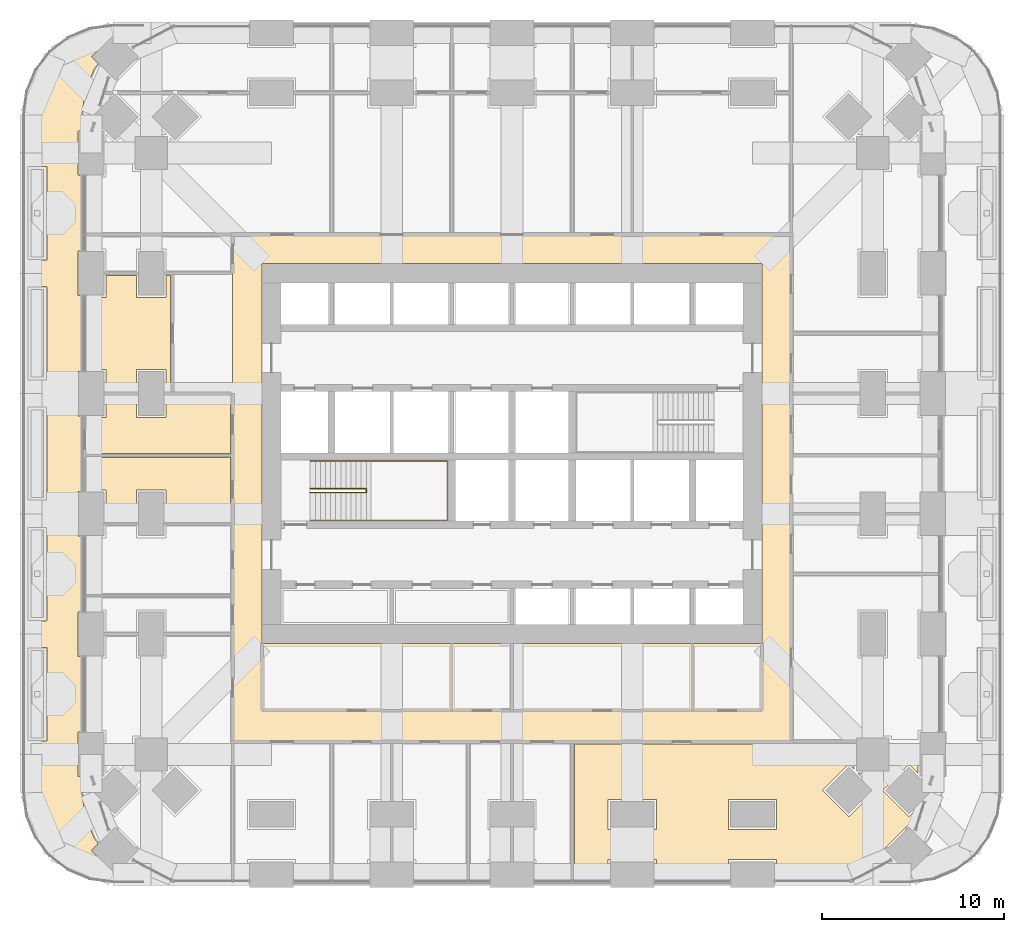
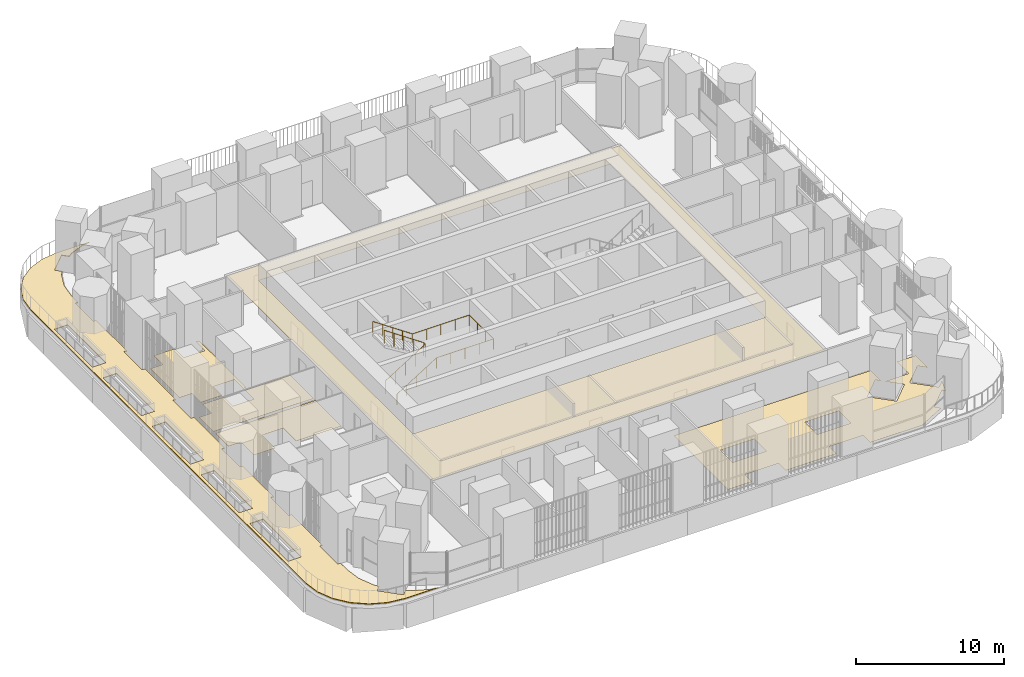
# One storey, part 23 of 27: 6 coverings, 2 railings.
"""IFC4 building model written with IfcOpenShell, lengths in metres."""

from ifc_helpers import new_model, si_unit, direction, frame, origin, place, context, subcontext, project, spatial, polyline, outline, extrude, material, layer, layer_set, type_object, element, save


model = new_model("IFC4")

# Units and contexts
model_context = context("Model", 3, precision=1e-05, world=origin(), true_north=direction((0.0, 1.0)))
body_context = subcontext(model_context, "Body", "Model", "MODEL_VIEW")
ifc_project = project(units=[si_unit("LENGTHUNIT", "METRE"), si_unit("AREAUNIT", "SQUARE_METRE"), si_unit("VOLUMEUNIT", "CUBIC_METRE"), si_unit("PLANEANGLEUNIT", "RADIAN"), si_unit("MASSUNIT", "GRAM", prefix="KILO")], contexts=[model_context])

# Site, building, storey
site_placement = place(None, origin())
site = spatial("IfcSite", under=ifc_project, at=site_placement, CompositionType="ELEMENT")
building_placement = place(site_placement, origin())
building = spatial("IfcBuilding", under=site, at=building_placement, Name="Cobogo Forest Laboratory Tower", CompositionType="ELEMENT")
storey_placement = place(building_placement, frame((0.0, 0.0, 82.199951171875)))
storey = spatial("IfcBuildingStorey", under=building, at=storey_placement, Name="L18", CompositionType="ELEMENT", Elevation=82.199951171875)

# Coverings
ifc_material_1 = material(Name="Mineral fibre ceiling tile", Category="ceiling")
ifc_layer_1 = layer(ifc_material_1, 0.02001953125)
ifc_layer_set_1 = layer_set([ifc_layer_1], Name="CL1 suspended ceiling")
covering_type_1 = type_object("IfcCoveringType", Name="CL1 suspended ceiling", PredefinedType="CEILING", material=ifc_layer_set_1)
covering_1_placement = place(storey_placement, frame((0.0, 0.0, 2.800048828125)))
element("IfcCovering", 1, at=covering_1_placement, inside=storey, type_object=covering_type_1, Name="Corridor ceiling L18", PredefinedType="CEILING", context=body_context, shape_type="SweptSolid", body=[
    extrude(outline(polyline([(11.074951171875, 7.300048828125), (11.074951171875, 35.125), (41.72509765625, 35.125), (41.72509765625, 7.300048828125), (11.074951171875, 7.300048828125)]), holes=[polyline([(40.125, 33.52490234375), (12.675048828125, 33.52490234375), (12.675048828125, 12.675048828125), (40.125, 12.675048828125), (40.125, 33.52490234375)])]), origin(), (0.0, 0.0, 1.0), 0.02001953125),
])
ifc_material_2 = material(Name="Carpet tile on raised access floor", Category="flooring")
ifc_layer_2 = layer(ifc_material_2, 0.008056640625)
ifc_layer_set_2 = layer_set([ifc_layer_2], Name="CT1 carpet tile floor 8")
covering_type_2 = type_object("IfcCoveringType", Name="CT1 carpet tile floor 8", PredefinedType="FLOORING", material=ifc_layer_set_2)
covering_2_placement = place(storey_placement, origin())
element("IfcCovering", 2, at=covering_2_placement, inside=storey, type_object=covering_type_2, Name="Carpet floor L18-32", PredefinedType="FLOORING", context=body_context, shape_type="SweptSolid", body=[
    extrude(outline(polyline([(7.655029296875, 26.52001953125), (7.419921875, 26.52001953125), (7.419921875, 27.719970703125), (5.780029296875, 27.719970703125), (5.780029296875, 26.52001953125), (4.1201171875, 26.52001953125), (4.1201171875, 27.719970703125), (3.14990234375, 27.719970703125), (3.14990234375, 31.679931640625), (4.1201171875, 31.679931640625), (4.1201171875, 32.8798828125), (5.780029296875, 32.8798828125), (5.780029296875, 31.679931640625), (7.419921875, 31.679931640625), (7.419921875, 32.8798828125), (7.655029296875, 32.8798828125), (7.655029296875, 26.52001953125)])), origin(), (0.0, 0.0, 1.0), 0.008056640625),
])

# Railings
ifc_material_3 = material(Name="Steel balustrade", Category="steel")
railing_type_1 = type_object("IfcRailingType", Name="GR stair guard 1100", PredefinedType="GUARDRAIL", material=ifc_material_3)
railing_1_placement = place(storey_placement, frame((15.324951171875, 20.969970703125, 0.175048828125)))
element("IfcRailing", 3, at=railing_1_placement, inside=storey, type_object=railing_type_1, Name="Stair guard ST1 L18", PredefinedType="GUARDRAIL", context=body_context, shape_type="SweptSolid", body=[
    extrude(outline(polyline([(0.022216796875, 0.00927734375), (0.00927734375, 0.022216796875), (-0.00927734375, 0.022216796875), (-0.022216796875, 0.00927734375), (-0.022216796875, -0.00927734375), (-0.00927734375, -0.022216796875), (0.00927734375, -0.022216796875), (0.022216796875, -0.00927734375), (0.022216796875, 0.00927734375)])), frame((0.0, 0.0, 1.077880859375), z_axis=(0.847998304005, 0.0, 0.529998940003), x_axis=(0.0, 1.0, 0.0)), (0.0, 0.0, 1.0), 3.632080078125),
    extrude(outline(polyline([(0.022216796875, 0.00927734375), (0.00927734375, 0.022216796875), (-0.00927734375, 0.022216796875), (-0.022216796875, 0.00927734375), (-0.022216796875, -0.00927734375), (-0.00927734375, -0.022216796875), (0.00927734375, -0.022216796875), (0.022216796875, -0.00927734375), (0.022216796875, 0.00927734375)])), frame((3.080078125, 0.0, 3.0029296875), z_axis=(0.0, 1.0, 0.0), x_axis=(-1.0, 0.0, 0.0)), (0.0, 0.0, 1.0), 0.2099609375),
    extrude(outline(polyline([(0.022216796875, 0.00927734375), (0.00927734375, 0.022216796875), (-0.00927734375, 0.022216796875), (-0.022216796875, 0.00927734375), (-0.022216796875, -0.00927734375), (-0.00927734375, -0.022216796875), (0.00927734375, -0.022216796875), (0.022216796875, -0.00927734375), (0.022216796875, 0.00927734375)])), frame((3.080078125, 0.2099609375, 3.0029296875), z_axis=(-0.826252282691, 0.0, 0.563300244406), x_axis=(0.0, -1.0, 0.0)), (0.0, 0.0, 1.0), 3.727783203125),
    extrude(outline(polyline([(0.019287109375, 0.008056640625), (0.008056640625, 0.019287109375), (-0.008056640625, 0.019287109375), (-0.019287109375, 0.008056640625), (-0.019287109375, -0.008056640625), (-0.008056640625, -0.019287109375), (0.008056640625, -0.019287109375), (0.019287109375, -0.008056640625), (0.019287109375, 0.008056640625)])), origin(), (0.0, 0.0, 1.0), 1.077880859375),
    extrude(outline(polyline([(0.019287109375, 0.008056640625), (0.008056640625, 0.019287109375), (-0.008056640625, 0.019287109375), (-0.019287109375, 0.008056640625), (-0.019287109375, -0.008056640625), (-0.008056640625, -0.019287109375), (0.008056640625, -0.019287109375), (0.019287109375, -0.008056640625), (0.019287109375, 0.008056640625)])), frame((0.77001953125, 0.0, 0.481201171875)), (0.0, 0.0, 1.0), 1.077880859375),
    extrude(outline(polyline([(0.019287109375, 0.008056640625), (0.008056640625, 0.019287109375), (-0.008056640625, 0.019287109375), (-0.019287109375, 0.008056640625), (-0.019287109375, -0.008056640625), (-0.008056640625, -0.019287109375), (0.008056640625, -0.019287109375), (0.019287109375, -0.008056640625), (0.019287109375, 0.008056640625)])), frame((1.5400390625, 0.0, 0.96240234375)), (0.0, 0.0, 1.0), 1.077880859375),
    extrude(outline(polyline([(0.019287109375, 0.008056640625), (0.008056640625, 0.019287109375), (-0.008056640625, 0.019287109375), (-0.019287109375, 0.008056640625), (-0.019287109375, -0.008056640625), (-0.008056640625, -0.019287109375), (0.008056640625, -0.019287109375), (0.019287109375, -0.008056640625), (0.019287109375, 0.008056640625)])), frame((2.31005859375, 0.0, 1.44384765625)), (0.0, 0.0, 1.0), 1.077880859375),
    extrude(outline(polyline([(0.019287109375, 0.008056640625), (0.008056640625, 0.019287109375), (-0.008056640625, 0.019287109375), (-0.019287109375, 0.008056640625), (-0.019287109375, -0.008056640625), (-0.008056640625, -0.019287109375), (0.008056640625, -0.019287109375), (0.019287109375, -0.008056640625), (0.019287109375, 0.008056640625)])), frame((3.080078125, 0.0, 1.925048828125)), (0.0, 0.0, 1.0), 1.077880859375),
    extrude(outline(polyline([(0.019287109375, 0.008056640625), (0.008056640625, 0.019287109375), (-0.008056640625, 0.019287109375), (-0.019287109375, 0.008056640625), (-0.019287109375, -0.008056640625), (-0.008056640625, -0.019287109375), (0.008056640625, -0.019287109375), (0.019287109375, -0.008056640625), (0.019287109375, 0.008056640625)])), frame((3.080078125, 0.2099609375, 1.925048828125)), (0.0, 0.0, 1.0), 1.077880859375),
    extrude(outline(polyline([(0.019287109375, 0.008056640625), (0.008056640625, 0.019287109375), (-0.008056640625, 0.019287109375), (-0.019287109375, 0.008056640625), (-0.019287109375, -0.008056640625), (-0.008056640625, -0.019287109375), (0.008056640625, -0.019287109375), (0.019287109375, -0.008056640625), (0.019287109375, 0.008056640625)])), frame((2.31005859375, 0.2099609375, 2.449951171875)), (0.0, 0.0, 1.0), 1.077880859375),
    extrude(outline(polyline([(0.019287109375, 0.008056640625), (0.008056640625, 0.019287109375), (-0.008056640625, 0.019287109375), (-0.019287109375, 0.008056640625), (-0.019287109375, -0.008056640625), (-0.008056640625, -0.019287109375), (0.008056640625, -0.019287109375), (0.019287109375, -0.008056640625), (0.019287109375, 0.008056640625)])), frame((1.5400390625, 0.2099609375, 2.97509765625)), (0.0, 0.0, 1.0), 1.077880859375),
    extrude(outline(polyline([(0.019287109375, 0.008056640625), (0.008056640625, 0.019287109375), (-0.008056640625, 0.019287109375), (-0.019287109375, 0.008056640625), (-0.019287109375, -0.008056640625), (-0.008056640625, -0.019287109375), (0.008056640625, -0.019287109375), (0.019287109375, -0.008056640625), (0.019287109375, 0.008056640625)])), frame((0.77001953125, 0.2099609375, 3.5)), (0.0, 0.0, 1.0), 1.077880859375),
    extrude(outline(polyline([(0.019287109375, 0.008056640625), (0.008056640625, 0.019287109375), (-0.008056640625, 0.019287109375), (-0.019287109375, 0.008056640625), (-0.019287109375, -0.008056640625), (-0.008056640625, -0.019287109375), (0.008056640625, -0.019287109375), (0.019287109375, -0.008056640625), (0.019287109375, 0.008056640625)])), frame((0.0, 0.2099609375, 4.02490234375)), (0.0, 0.0, 1.0), 1.077880859375),
])
ifc_material_4 = material(Name="Stainless steel handrail", Category="steel")
railing_type_2 = type_object("IfcRailingType", Name="HR handrail 900", PredefinedType="HANDRAIL", material=ifc_material_4)
railing_2_placement = place(storey_placement, frame((15.324951171875, 19.449951171875, 0.175048828125)))
element("IfcRailing", 4, at=railing_2_placement, inside=storey, type_object=railing_type_2, Name="Stair handrail ST1 L18", PredefinedType="HANDRAIL", context=body_context, shape_type="SweptSolid", body=[
    extrude(outline(polyline([(0.022216796875, 0.00927734375), (0.00927734375, 0.022216796875), (-0.00927734375, 0.022216796875), (-0.022216796875, 0.00927734375), (-0.022216796875, -0.00927734375), (-0.00927734375, -0.022216796875), (0.00927734375, -0.022216796875), (0.022216796875, -0.00927734375), (0.022216796875, 0.00927734375)])), frame((0.0, 0.0, 0.877685546875), z_axis=(0.847998304005, 0.0, 0.529998940003), x_axis=(0.0, 1.0, 0.0)), (0.0, 0.0, 1.0), 3.632080078125),
    extrude(outline(polyline([(0.022216796875, 0.00927734375), (0.00927734375, 0.022216796875), (-0.00927734375, 0.022216796875), (-0.022216796875, 0.00927734375), (-0.022216796875, -0.00927734375), (-0.00927734375, -0.022216796875), (0.00927734375, -0.022216796875), (0.022216796875, -0.00927734375), (0.022216796875, 0.00927734375)])), frame((3.080078125, 0.0, 2.802734375), z_axis=(1.0, 0.0, 0.0), x_axis=(0.0, 1.0, 0.0)), (0.0, 0.0, 1.0), 4.445068359375),
    extrude(outline(polyline([(0.022216796875, 0.00927734375), (0.00927734375, 0.022216796875), (-0.00927734375, 0.022216796875), (-0.022216796875, 0.00927734375), (-0.022216796875, -0.00927734375), (-0.00927734375, -0.022216796875), (0.00927734375, -0.022216796875), (0.022216796875, -0.00927734375), (0.022216796875, 0.00927734375)])), frame((7.525146484375, 0.0, 2.802734375), z_axis=(0.0, 1.0, 0.0), x_axis=(-1.0, 0.0, 0.0)), (0.0, 0.0, 1.0), 3.25),
    extrude(outline(polyline([(0.022216796875, 0.00927734375), (0.00927734375, 0.022216796875), (-0.00927734375, 0.022216796875), (-0.022216796875, 0.00927734375), (-0.022216796875, -0.00927734375), (-0.00927734375, -0.022216796875), (0.00927734375, -0.022216796875), (0.022216796875, -0.00927734375), (0.022216796875, 0.00927734375)])), frame((7.525146484375, 3.25, 2.802734375), z_axis=(-1.0, 0.0, 0.0), x_axis=(0.0, -1.0, 0.0)), (0.0, 0.0, 1.0), 4.445068359375),
    extrude(outline(polyline([(0.022216796875, 0.00927734375), (0.00927734375, 0.022216796875), (-0.00927734375, 0.022216796875), (-0.022216796875, 0.00927734375), (-0.022216796875, -0.00927734375), (-0.00927734375, -0.022216796875), (0.00927734375, -0.022216796875), (0.022216796875, -0.00927734375), (0.022216796875, 0.00927734375)])), frame((3.080078125, 3.25, 2.802734375), z_axis=(-0.826252282691, 0.0, 0.563300244406), x_axis=(0.0, -1.0, 0.0)), (0.0, 0.0, 1.0), 3.727783203125),
    extrude(outline(polyline([(0.019287109375, 0.008056640625), (0.008056640625, 0.019287109375), (-0.008056640625, 0.019287109375), (-0.019287109375, 0.008056640625), (-0.019287109375, -0.008056640625), (-0.008056640625, -0.019287109375), (0.008056640625, -0.019287109375), (0.019287109375, -0.008056640625), (0.019287109375, 0.008056640625)])), origin(), (0.0, 0.0, 1.0), 0.877685546875),
    extrude(outline(polyline([(0.019287109375, 0.008056640625), (0.008056640625, 0.019287109375), (-0.008056640625, 0.019287109375), (-0.019287109375, 0.008056640625), (-0.019287109375, -0.008056640625), (-0.008056640625, -0.019287109375), (0.008056640625, -0.019287109375), (0.019287109375, -0.008056640625), (0.019287109375, 0.008056640625)])), frame((0.77001953125, 0.0, 0.481201171875)), (0.0, 0.0, 1.0), 0.877685546875),
    extrude(outline(polyline([(0.019287109375, 0.008056640625), (0.008056640625, 0.019287109375), (-0.008056640625, 0.019287109375), (-0.019287109375, 0.008056640625), (-0.019287109375, -0.008056640625), (-0.008056640625, -0.019287109375), (0.008056640625, -0.019287109375), (0.019287109375, -0.008056640625), (0.019287109375, 0.008056640625)])), frame((1.5400390625, 0.0, 0.96240234375)), (0.0, 0.0, 1.0), 0.877685546875),
    extrude(outline(polyline([(0.019287109375, 0.008056640625), (0.008056640625, 0.019287109375), (-0.008056640625, 0.019287109375), (-0.019287109375, 0.008056640625), (-0.019287109375, -0.008056640625), (-0.008056640625, -0.019287109375), (0.008056640625, -0.019287109375), (0.019287109375, -0.008056640625), (0.019287109375, 0.008056640625)])), frame((2.31005859375, 0.0, 1.44384765625)), (0.0, 0.0, 1.0), 0.877685546875),
    extrude(outline(polyline([(0.019287109375, 0.008056640625), (0.008056640625, 0.019287109375), (-0.008056640625, 0.019287109375), (-0.019287109375, 0.008056640625), (-0.019287109375, -0.008056640625), (-0.008056640625, -0.019287109375), (0.008056640625, -0.019287109375), (0.019287109375, -0.008056640625), (0.019287109375, 0.008056640625)])), frame((3.080078125, 0.0, 1.925048828125)), (0.0, 0.0, 1.0), 0.877685546875),
    extrude(outline(polyline([(0.019287109375, 0.008056640625), (0.008056640625, 0.019287109375), (-0.008056640625, 0.019287109375), (-0.019287109375, 0.008056640625), (-0.019287109375, -0.008056640625), (-0.008056640625, -0.019287109375), (0.008056640625, -0.019287109375), (0.019287109375, -0.008056640625), (0.019287109375, 0.008056640625)])), frame((4.19140625, 0.0, 1.925048828125)), (0.0, 0.0, 1.0), 0.877685546875),
    extrude(outline(polyline([(0.019287109375, 0.008056640625), (0.008056640625, 0.019287109375), (-0.008056640625, 0.019287109375), (-0.019287109375, 0.008056640625), (-0.019287109375, -0.008056640625), (-0.008056640625, -0.019287109375), (0.008056640625, -0.019287109375), (0.019287109375, -0.008056640625), (0.019287109375, 0.008056640625)])), frame((5.302734375, 0.0, 1.925048828125)), (0.0, 0.0, 1.0), 0.877685546875),
    extrude(outline(polyline([(0.019287109375, 0.008056640625), (0.008056640625, 0.019287109375), (-0.008056640625, 0.019287109375), (-0.019287109375, 0.008056640625), (-0.019287109375, -0.008056640625), (-0.008056640625, -0.019287109375), (0.008056640625, -0.019287109375), (0.019287109375, -0.008056640625), (0.019287109375, 0.008056640625)])), frame((6.413818359375, 0.0, 1.925048828125)), (0.0, 0.0, 1.0), 0.877685546875),
    extrude(outline(polyline([(0.019287109375, 0.008056640625), (0.008056640625, 0.019287109375), (-0.008056640625, 0.019287109375), (-0.019287109375, 0.008056640625), (-0.019287109375, -0.008056640625), (-0.008056640625, -0.019287109375), (0.008056640625, -0.019287109375), (0.019287109375, -0.008056640625), (0.019287109375, 0.008056640625)])), frame((7.525146484375, 0.0, 1.925048828125)), (0.0, 0.0, 1.0), 0.877685546875),
    extrude(outline(polyline([(0.019287109375, 0.008056640625), (0.008056640625, 0.019287109375), (-0.008056640625, 0.019287109375), (-0.019287109375, 0.008056640625), (-0.019287109375, -0.008056640625), (-0.008056640625, -0.019287109375), (0.008056640625, -0.019287109375), (0.019287109375, -0.008056640625), (0.019287109375, 0.008056640625)])), frame((7.525146484375, 1.083251953125, 1.925048828125)), (0.0, 0.0, 1.0), 0.877685546875),
    extrude(outline(polyline([(0.019287109375, 0.008056640625), (0.008056640625, 0.019287109375), (-0.008056640625, 0.019287109375), (-0.019287109375, 0.008056640625), (-0.019287109375, -0.008056640625), (-0.008056640625, -0.019287109375), (0.008056640625, -0.019287109375), (0.019287109375, -0.008056640625), (0.019287109375, 0.008056640625)])), frame((7.525146484375, 2.166748046875, 1.925048828125)), (0.0, 0.0, 1.0), 0.877685546875),
    extrude(outline(polyline([(0.019287109375, 0.008056640625), (0.008056640625, 0.019287109375), (-0.008056640625, 0.019287109375), (-0.019287109375, 0.008056640625), (-0.019287109375, -0.008056640625), (-0.008056640625, -0.019287109375), (0.008056640625, -0.019287109375), (0.019287109375, -0.008056640625), (0.019287109375, 0.008056640625)])), frame((7.525146484375, 3.25, 1.925048828125)), (0.0, 0.0, 1.0), 0.877685546875),
    extrude(outline(polyline([(0.019287109375, 0.008056640625), (0.008056640625, 0.019287109375), (-0.008056640625, 0.019287109375), (-0.019287109375, 0.008056640625), (-0.019287109375, -0.008056640625), (-0.008056640625, -0.019287109375), (0.008056640625, -0.019287109375), (0.019287109375, -0.008056640625), (0.019287109375, 0.008056640625)])), frame((6.413818359375, 3.25, 1.925048828125)), (0.0, 0.0, 1.0), 0.877685546875),
    extrude(outline(polyline([(0.019287109375, 0.008056640625), (0.008056640625, 0.019287109375), (-0.008056640625, 0.019287109375), (-0.019287109375, 0.008056640625), (-0.019287109375, -0.008056640625), (-0.008056640625, -0.019287109375), (0.008056640625, -0.019287109375), (0.019287109375, -0.008056640625), (0.019287109375, 0.008056640625)])), frame((5.302734375, 3.25, 1.925048828125)), (0.0, 0.0, 1.0), 0.877685546875),
    extrude(outline(polyline([(0.019287109375, 0.008056640625), (0.008056640625, 0.019287109375), (-0.008056640625, 0.019287109375), (-0.019287109375, 0.008056640625), (-0.019287109375, -0.008056640625), (-0.008056640625, -0.019287109375), (0.008056640625, -0.019287109375), (0.019287109375, -0.008056640625), (0.019287109375, 0.008056640625)])), frame((4.19140625, 3.25, 1.925048828125)), (0.0, 0.0, 1.0), 0.877685546875),
    extrude(outline(polyline([(0.019287109375, 0.008056640625), (0.008056640625, 0.019287109375), (-0.008056640625, 0.019287109375), (-0.019287109375, 0.008056640625), (-0.019287109375, -0.008056640625), (-0.008056640625, -0.019287109375), (0.008056640625, -0.019287109375), (0.019287109375, -0.008056640625), (0.019287109375, 0.008056640625)])), frame((3.080078125, 3.25, 1.925048828125)), (0.0, 0.0, 1.0), 0.877685546875),
    extrude(outline(polyline([(0.019287109375, 0.008056640625), (0.008056640625, 0.019287109375), (-0.008056640625, 0.019287109375), (-0.019287109375, 0.008056640625), (-0.019287109375, -0.008056640625), (-0.008056640625, -0.019287109375), (0.008056640625, -0.019287109375), (0.019287109375, -0.008056640625), (0.019287109375, 0.008056640625)])), frame((2.31005859375, 3.25, 2.449951171875)), (0.0, 0.0, 1.0), 0.877685546875),
    extrude(outline(polyline([(0.019287109375, 0.008056640625), (0.008056640625, 0.019287109375), (-0.008056640625, 0.019287109375), (-0.019287109375, 0.008056640625), (-0.019287109375, -0.008056640625), (-0.008056640625, -0.019287109375), (0.008056640625, -0.019287109375), (0.019287109375, -0.008056640625), (0.019287109375, 0.008056640625)])), frame((1.5400390625, 3.25, 2.97509765625)), (0.0, 0.0, 1.0), 0.877685546875),
    extrude(outline(polyline([(0.019287109375, 0.008056640625), (0.008056640625, 0.019287109375), (-0.008056640625, 0.019287109375), (-0.019287109375, 0.008056640625), (-0.019287109375, -0.008056640625), (-0.008056640625, -0.019287109375), (0.008056640625, -0.019287109375), (0.019287109375, -0.008056640625), (0.019287109375, 0.008056640625)])), frame((0.77001953125, 3.25, 3.5)), (0.0, 0.0, 1.0), 0.877685546875),
    extrude(outline(polyline([(0.019287109375, 0.008056640625), (0.008056640625, 0.019287109375), (-0.008056640625, 0.019287109375), (-0.019287109375, 0.008056640625), (-0.019287109375, -0.008056640625), (-0.008056640625, -0.019287109375), (0.008056640625, -0.019287109375), (0.019287109375, -0.008056640625), (0.019287109375, 0.008056640625)])), frame((0.0, 3.25, 4.02490234375)), (0.0, 0.0, 1.0), 0.877685546875),
])

# Coverings
ifc_material_5 = material(Name="Epoxy resin flooring", Category="flooring")
ifc_layer_3 = layer(ifc_material_5, 0.00390625)
ifc_layer_set_3 = layer_set([ifc_layer_3], Name="LF1 epoxy laboratory floor 4")
covering_type_3 = type_object("IfcCoveringType", Name="LF1 epoxy laboratory floor 4", PredefinedType="FLOORING", material=ifc_layer_set_3)
covering_3_placement = place(storey_placement, origin())
element("IfcCovering", 5, at=covering_3_placement, inside=storey, type_object=covering_type_3, Name="Epoxy laboratory floor L18-10", PredefinedType="FLOORING", context=body_context, shape_type="SweptSolid", body=[
    extrude(outline(polyline([(43.439453125, 4.617919921875), (44.882080078125, 3.175537109375), (46.324462890625, 4.617919921875), (45.362548828125, 5.580078125), (47.219970703125, 5.580078125), (47.219970703125, 7.179931640625), (48.679931640625, 7.179931640625), (48.679931640625, 5.5625), (48.181884765625, 6.060546875), (46.739501953125, 4.617919921875), (48.181884765625, 3.175537109375), (48.732666015625, 3.726318359375), (48.368896484375, 2.57373046875), (48.181884765625, 2.760498046875), (46.739501953125, 1.318115234375), (47.08740234375, 0.969970703125), (44.95068359375, -0.14990234375), (40.919921875, -0.14990234375), (40.919921875, 0.820068359375), (38.280029296875, 0.820068359375), (38.280029296875, -0.14990234375), (34.320068359375, -0.14990234375), (34.320068359375, 0.820068359375), (31.679931640625, 0.820068359375), (31.679931640625, -0.14990234375), (29.820068359375, -0.14990234375), (29.820068359375, 7.179931640625), (45.179931640625, 7.179931640625), (45.179931640625, 5.762451171875), (44.882080078125, 6.060546875), (43.439453125, 4.617919921875)]), holes=[polyline([(38.280029296875, 4.1201171875), (38.280029296875, 2.47998046875), (40.919921875, 2.47998046875), (40.919921875, 4.1201171875), (38.280029296875, 4.1201171875)]), polyline([(31.679931640625, 4.1201171875), (31.679931640625, 2.47998046875), (34.320068359375, 2.47998046875), (34.320068359375, 4.1201171875), (31.679931640625, 4.1201171875)])]), origin(), (0.0, 0.0, 1.0), 0.004150390625),
])
ifc_material_6 = material(Name="Bituminous waterproofing, protection board and paving", Category="roofing")
ifc_layer_4 = layer(ifc_material_6, 0.06005859375)
ifc_layer_set_4 = layer_set([ifc_layer_4], Name="RF1 terrace and roof garden build-up 60")
covering_type_4 = type_object("IfcCoveringType", Name="RF1 terrace and roof garden build-up 60", PredefinedType="ROOFING", material=ifc_layer_set_4)
covering_4_placement = place(storey_placement, origin())
element("IfcCovering", 6, at=covering_4_placement, inside=storey, type_object=covering_type_4, Name="Terrace build-up TER-W L18", PredefinedType="ROOFING", context=body_context, shape_type="SweptSolid", body=[
    extrude(outline(polyline([(3.23193359375, -0.232666015625), (2.05029296875, 0.2568359375), (1.035400390625, 1.035400390625), (0.2568359375, 2.05029296875), (-0.232666015625, 3.23193359375), (-0.39990234375, 4.503173828125), (-0.39990234375, 41.69677734375), (-0.232666015625, 42.968017578125), (0.2568359375, 44.14990234375), (1.035400390625, 45.16455078125), (2.05029296875, 45.943115234375), (3.23193359375, 46.4326171875), (4.503173828125, 46.60009765625), (7.037109375, 46.60009765625), (6.505859375, 46.530029296875), (5.2998046875, 46.030517578125), (5.000244140625, 45.80078125), (4.632080078125, 46.1689453125), (4.621826171875, 46.17431640625), (4.6103515625, 46.17333984375), (4.603759765625, 46.1689453125), (3.329833984375, 44.894775390625), (3.326171875, 44.8876953125), (3.3251953125, 44.882080078125), (3.32666015625, 44.874267578125), (3.3310546875, 44.867919921875), (3.69921875, 44.499755859375), (3.469482421875, 44.2001953125), (2.969970703125, 42.994140625), (2.800048828125, 41.703369140625), (2.800048828125, 40.820068359375), (2.59814453125, 40.81982421875), (2.59228515625, 40.818359375), (2.5859375, 40.814208984375), (2.582275390625, 40.809326171875), (2.580078125, 40.802001953125), (2.580078125, 38.39794921875), (2.582275390625, 38.390625), (2.5859375, 38.3857421875), (2.59228515625, 38.381591796875), (2.59814453125, 38.380126953125), (2.800048828125, 38.3798828125), (2.800048828125, 34.219970703125), (2.59814453125, 34.219970703125), (2.590576171875, 34.217529296875), (2.58447265625, 34.212646484375), (2.580810546875, 34.205810546875), (2.580078125, 34.199951171875), (2.580078125, 31.798095703125), (2.582275390625, 31.79052734375), (2.5859375, 31.785888671875), (2.590576171875, 31.782470703125), (2.59814453125, 31.780029296875), (2.800048828125, 31.780029296875), (2.800048828125, 27.6201171875), (2.59814453125, 27.619873046875), (2.590576171875, 27.61767578125), (2.5859375, 27.6142578125), (2.58154296875, 27.607666015625), (2.580078125, 27.60009765625), (2.580078125, 25.197998046875), (2.582275390625, 25.190673828125), (2.5859375, 25.185791015625), (2.590576171875, 25.182373046875), (2.59814453125, 25.18017578125), (2.800048828125, 25.179931640625), (2.800048828125, 21.02001953125), (2.59814453125, 21.02001953125), (2.590576171875, 21.017578125), (2.5859375, 21.01416015625), (2.58154296875, 21.007568359375), (2.580078125, 21.0), (2.580078125, 18.59814453125), (2.582275390625, 18.590576171875), (2.5859375, 18.5859375), (2.590576171875, 18.582275390625), (2.59814453125, 18.580078125), (2.800048828125, 18.580078125), (2.800048828125, 14.419921875), (2.59814453125, 14.419921875), (2.59228515625, 14.41845703125), (2.5859375, 14.4140625), (2.58154296875, 14.40771484375), (2.580078125, 14.39990234375), (2.580078125, 11.998046875), (2.58154296875, 11.992431640625), (2.5859375, 11.98583984375), (2.59228515625, 11.9814453125), (2.59814453125, 11.97998046875), (2.800048828125, 11.97998046875), (2.800048828125, 7.820068359375), (2.59814453125, 7.81982421875), (2.590576171875, 7.817626953125), (2.5859375, 7.814208984375), (2.582275390625, 7.809326171875), (2.580078125, 7.802001953125), (2.580078125, 5.39794921875), (2.582275390625, 5.390625), (2.5859375, 5.3857421875), (2.590576171875, 5.38232421875), (2.59814453125, 5.380126953125), (2.800048828125, 5.3798828125), (2.800048828125, 4.496826171875), (2.969970703125, 3.205810546875), (3.469482421875, 1.999755859375), (3.69921875, 1.700439453125), (3.3310546875, 1.332275390625), (3.32666015625, 1.32568359375), (3.3251953125, 1.318115234375), (3.32666015625, 1.310302734375), (3.329833984375, 1.305419921875), (4.603759765625, 0.031005859375), (4.6103515625, 0.02685546875), (4.621826171875, 0.025634765625), (4.632080078125, 0.031005859375), (5.000244140625, 0.399169921875), (5.2998046875, 0.16943359375), (6.505859375, -0.330078125), (7.037109375, -0.39990234375), (4.503173828125, -0.39990234375), (3.23193359375, -0.232666015625)]), holes=[polyline([(-0.16845703125, 12.457763671875), (-0.169921875, 12.449951171875), (-0.169677734375, 7.34619140625), (-0.167724609375, 7.340576171875), (-0.16259765625, 7.33447265625), (-0.15576171875, 7.330810546875), (-0.14990234375, 7.330078125), (0.85400390625, 7.330322265625), (0.859375, 7.332275390625), (0.865478515625, 7.33740234375), (0.869140625, 7.34423828125), (0.8701171875, 7.35009765625), (0.86962890625, 12.453857421875), (0.86767578125, 12.45947265625), (0.86279296875, 12.465576171875), (0.857666015625, 12.468505859375), (0.85009765625, 12.469970703125), (-0.14990234375, 12.469970703125), (-0.1611328125, 12.466552734375), (-0.16845703125, 12.457763671875)]), polyline([(-0.16845703125, 19.0576171875), (-0.169921875, 19.050048828125), (-0.169677734375, 13.946044921875), (-0.166748046875, 13.93896484375), (-0.16259765625, 13.9345703125), (-0.15771484375, 13.931640625), (-0.14990234375, 13.929931640625), (0.85400390625, 13.930419921875), (0.861083984375, 13.933349609375), (0.865478515625, 13.937255859375), (0.868408203125, 13.9423828125), (0.8701171875, 13.949951171875), (0.86962890625, 19.053955078125), (0.86767578125, 19.059326171875), (0.86279296875, 19.0654296875), (0.855712890625, 19.069091796875), (0.85009765625, 19.070068359375), (-0.14990234375, 19.070068359375), (-0.1611328125, 19.066650390625), (-0.16845703125, 19.0576171875)]), polyline([(-0.16845703125, 25.65771484375), (-0.169921875, 25.64990234375), (-0.169677734375, 20.546142578125), (-0.166748046875, 20.538818359375), (-0.16259765625, 20.534423828125), (-0.15576171875, 20.53076171875), (-0.14990234375, 20.530029296875), (0.85400390625, 20.5302734375), (0.861083984375, 20.533447265625), (0.865478515625, 20.537353515625), (0.869140625, 20.544189453125), (0.8701171875, 20.550048828125), (0.86962890625, 25.65380859375), (0.86767578125, 25.659423828125), (0.86279296875, 25.66552734375), (0.855712890625, 25.669189453125), (0.85009765625, 25.669921875), (-0.14990234375, 25.669921875), (-0.1611328125, 25.666748046875), (-0.16845703125, 25.65771484375)]), polyline([(-0.16845703125, 32.257568359375), (-0.169921875, 32.25), (-0.169677734375, 27.14599609375), (-0.166748046875, 27.138916015625), (-0.16259765625, 27.134521484375), (-0.15576171875, 27.130859375), (-0.14990234375, 27.1298828125), (0.85400390625, 27.13037109375), (0.861083984375, 27.13330078125), (0.865478515625, 27.13720703125), (0.869140625, 27.144287109375), (0.8701171875, 27.14990234375), (0.86962890625, 32.25390625), (0.86767578125, 32.259521484375), (0.86279296875, 32.265380859375), (0.857666015625, 32.2685546875), (0.85009765625, 32.27001953125), (-0.14990234375, 32.27001953125), (-0.1611328125, 32.2666015625), (-0.16845703125, 32.257568359375)]), polyline([(-0.16845703125, 38.857666015625), (-0.169921875, 38.85009765625), (-0.169677734375, 33.74609375), (-0.167724609375, 33.740478515625), (-0.16259765625, 33.734619140625), (-0.15771484375, 33.7314453125), (-0.14990234375, 33.72998046875), (0.85400390625, 33.73046875), (0.861083984375, 33.7333984375), (0.865478515625, 33.7373046875), (0.869140625, 33.744140625), (0.8701171875, 33.75), (0.86962890625, 38.85400390625), (0.86767578125, 38.859375), (0.86279296875, 38.865478515625), (0.857666015625, 38.868408203125), (0.85009765625, 38.8701171875), (-0.14990234375, 38.8701171875), (-0.1611328125, 38.86669921875), (-0.16845703125, 38.857666015625)])]), origin(), (0.0, 0.0, 1.0), 0.06005859375),
])
ifc_material_7 = material(Name="Ceramic floor tile", Category="flooring")
ifc_layer_5 = layer(ifc_material_7, 0.010009765625)
ifc_layer_set_5 = layer_set([ifc_layer_5], Name="TF1 ceramic tile floor 10")
covering_type_5 = type_object("IfcCoveringType", Name="TF1 ceramic tile floor 10", PredefinedType="FLOORING", material=ifc_layer_set_5)
covering_5_placement = place(storey_placement, origin())
element("IfcCovering", 7, at=covering_5_placement, inside=storey, type_object=covering_type_5, Name="Tile floor L18-30", PredefinedType="FLOORING", context=body_context, shape_type="SweptSolid", body=[
    extrude(outline(polyline([(10.955078125, 19.3701171875), (7.419921875, 19.3701171875), (7.419921875, 21.1201171875), (5.780029296875, 21.1201171875), (5.780029296875, 19.3701171875), (4.1201171875, 19.3701171875), (4.1201171875, 21.1201171875), (3.14990234375, 21.1201171875), (3.14990234375, 22.8798828125), (10.955078125, 22.8798828125), (10.955078125, 19.3701171875)])), origin(), (0.0, 0.0, 1.0), 0.010009765625),
])
covering_6_placement = place(storey_placement, origin())
element("IfcCovering", 8, at=covering_6_placement, inside=storey, type_object=covering_type_5, Name="Tile floor L18-31", PredefinedType="FLOORING", context=body_context, shape_type="SweptSolid", body=[
    extrude(outline(polyline([(10.955078125, 23.1201171875), (3.14990234375, 23.1201171875), (3.14990234375, 25.080078125), (4.1201171875, 25.080078125), (4.1201171875, 26.280029296875), (5.780029296875, 26.280029296875), (5.780029296875, 25.080078125), (7.419921875, 25.080078125), (7.419921875, 26.280029296875), (10.955078125, 26.280029296875), (10.955078125, 23.1201171875)])), origin(), (0.0, 0.0, 1.0), 0.010009765625),
])

save(model, "model.ifc")
